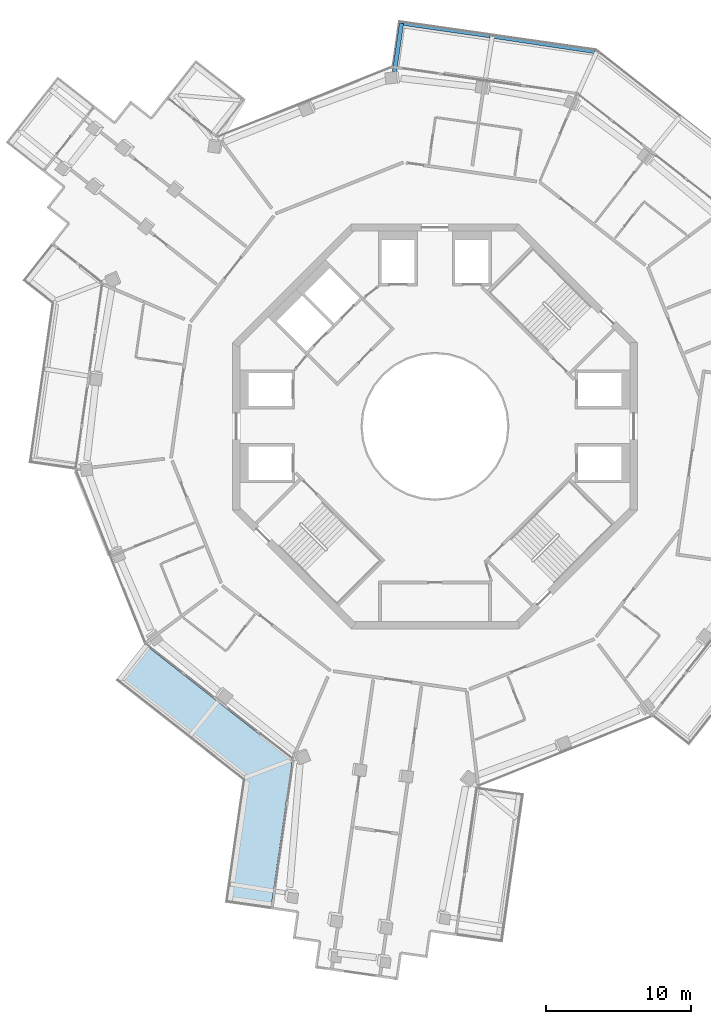
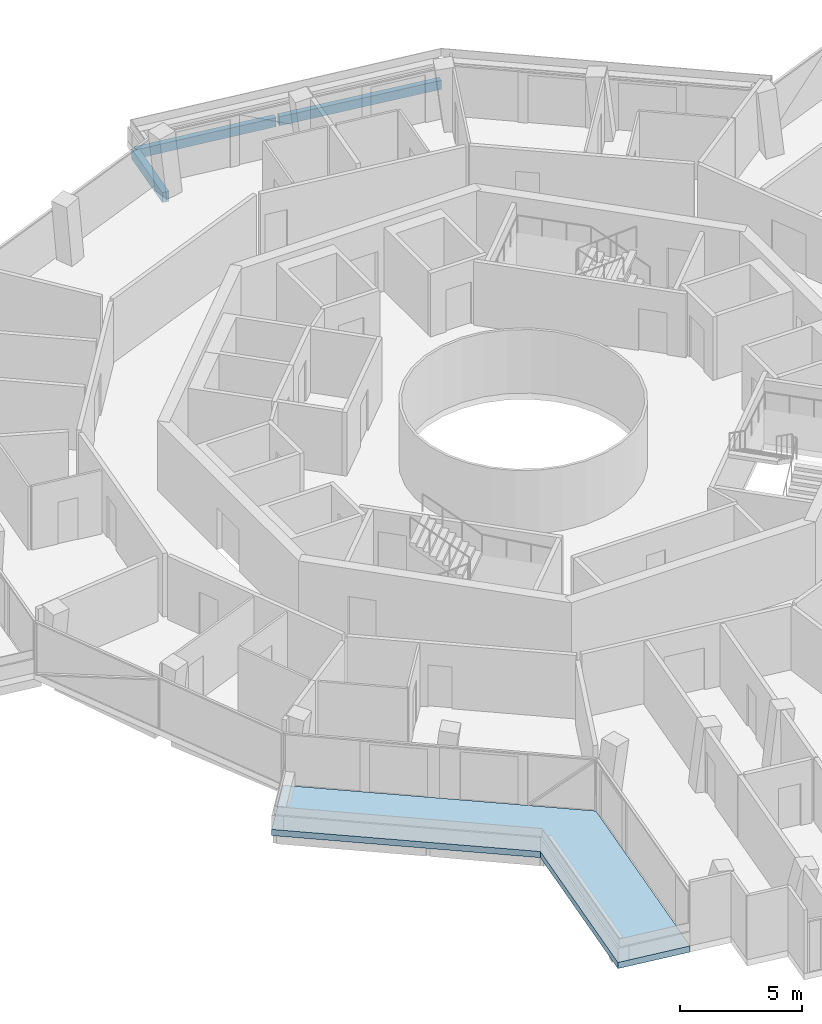
# One storey, part 10 of 23: 3 beams, 1 slab.
"""IFC4 building model written with IfcOpenShell, lengths in metres."""

from ifc_helpers import new_model, si_unit, direction, frame, origin, origin_2d, place, context, subcontext, project, spatial, polyline, rectangle, outline, extrude, material, layer, layer_set, material_profile, profile_set, type_object, element, save


model = new_model("IFC4")

# Units and contexts
model_context = context("Model", 3, precision=1e-05, world=origin(), true_north=direction((0.0, 1.0)))
body_context = subcontext(model_context, "Body", "Model", "MODEL_VIEW")
ifc_project = project(units=[si_unit("LENGTHUNIT", "METRE"), si_unit("AREAUNIT", "SQUARE_METRE"), si_unit("VOLUMEUNIT", "CUBIC_METRE"), si_unit("PLANEANGLEUNIT", "RADIAN"), si_unit("MASSUNIT", "GRAM", prefix="KILO")], contexts=[model_context])

# Site, building, storey
site_placement = place(None, origin())
site = spatial("IfcSite", under=ifc_project, at=site_placement, CompositionType="ELEMENT")
building_placement = place(site_placement, origin())
building = spatial("IfcBuilding", under=site, at=building_placement, Name="Verdalira Terraces Hotel", CompositionType="ELEMENT")
storey_placement = place(building_placement, frame((0.0, 0.0, 244.5)))
storey = spatial("IfcBuildingStorey", under=building, at=storey_placement, Name="L60", CompositionType="ELEMENT", Elevation=244.5)

# Beams
ifc_material_1 = material(Name="Concrete C40", Category="concrete")
ifc_material_profile_1 = material_profile(ifc_material_1, rectangle(XDim=0.300049, YDim=0.5, at=origin_2d()), Name="RC 300X500")
ifc_profile_set_1 = profile_set([ifc_material_profile_1], Name="Concrete C40")
beam_type_1 = type_object("IfcBeamType", Name="Balcony cantilever beam RC 300X500 C40", PredefinedType="BEAM", material=ifc_profile_set_1)
beam_1_placement = place(storey_placement, frame((-2.798096, 24.525146, -0.560059), z_axis=(0.141917037, 0.989878556, 0.0), x_axis=(-0.989878556, 0.141917037, 0.0)))
element("IfcBeam", 1, at=beam_1_placement, inside=storey, type_object=beam_type_1, Name="Balcony cantilever beam R39-5", PredefinedType="BEAM", context=body_context, shape_type="SweptSolid", body=[
    extrude(rectangle(XDim=0.300049, YDim=0.5, at=origin_2d()), origin(), (0.0, 0.0, 1.0), 3.378662),
])
ifc_material_2 = material(Name="Concrete C40", Category="concrete")
ifc_material_profile_2 = material_profile(ifc_material_2, rectangle(XDim=0.25, YDim=0.449951, at=origin_2d()), Name="RC 250X450")
ifc_profile_set_2 = profile_set([ifc_material_profile_2], Name="Concrete C40")
beam_type_2 = type_object("IfcBeamType", Name="Balcony edge beam RC 250X450 C40", PredefinedType="BEAM", material=ifc_profile_set_2)
beam_2_placement = place(storey_placement, frame((11.030029, 25.909424, -0.534912), z_axis=(-0.988950132, 0.148248562, 0.0), x_axis=(-0.148248562, -0.988950132, 0.0)))
element("IfcBeam", 2, at=beam_2_placement, inside=storey, type_object=beam_type_2, Name="Balcony edge beam R39-3", PredefinedType="BEAM", context=body_context, shape_type="SweptSolid", body=[
    extrude(rectangle(XDim=0.25, YDim=0.449951, at=origin_2d()), origin(), (0.0, 0.0, 1.0), 7.145508),
])
beam_3_placement = place(storey_placement, frame((3.814941, 26.98999, -0.534912), z_axis=(-0.98987212, 0.141961917, 0.0), x_axis=(-0.141961917, -0.98987212, 0.0)))
element("IfcBeam", 3, at=beam_3_placement, inside=storey, type_object=beam_type_2, Name="Balcony edge beam R39-4", PredefinedType="BEAM", context=body_context, shape_type="SweptSolid", body=[
    extrude(rectangle(XDim=0.25, YDim=0.449951, at=origin_2d()), origin(), (0.0, 0.0, 1.0), 6.196289),
])

# Slab
ifc_material_3 = material(Name="Precast concrete C40/50", Category="concrete")
ifc_layer = layer(ifc_material_3, 0.31005859375)
ifc_layer_set = layer_set([ifc_layer], Name="Balcony deck 310")
slab_type = type_object("IfcSlabType", Name="Balcony deck 310", PredefinedType="FLOOR", material=ifc_layer_set)
slab_placement = place(storey_placement, frame((0.0, 0.0, -0.310059)))
element("IfcSlab", 4, at=slab_placement, inside=storey, type_object=slab_type, Name="Balcony deck", PredefinedType="FLOOR", context=body_context, shape_type="SweptSolid", body=[
    extrude(outline(polyline([(-13.307129, -24.464844), (-14.522705, -32.941406), (-11.35498, -33.395508), (-9.877441, -23.090088), (-20.099121, -15.057861), (-22.076172, -17.573975), (-13.307129, -24.464844)])), origin(), (0.0, 0.0, 1.0), 0.310059),
])

save(model, "model.ifc")
